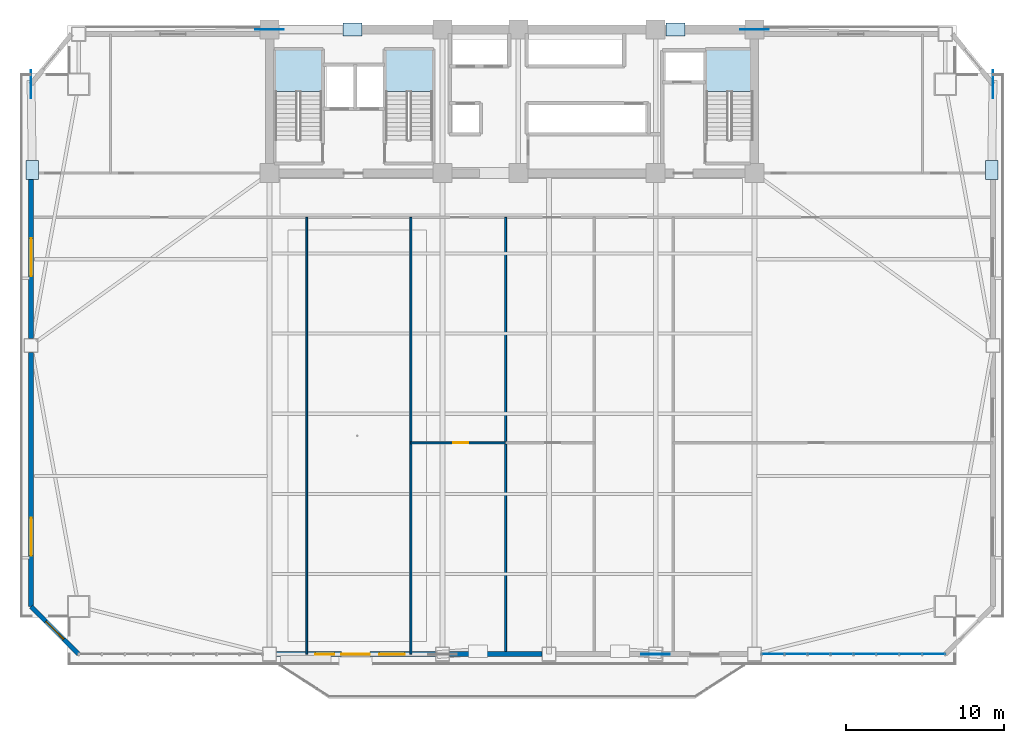
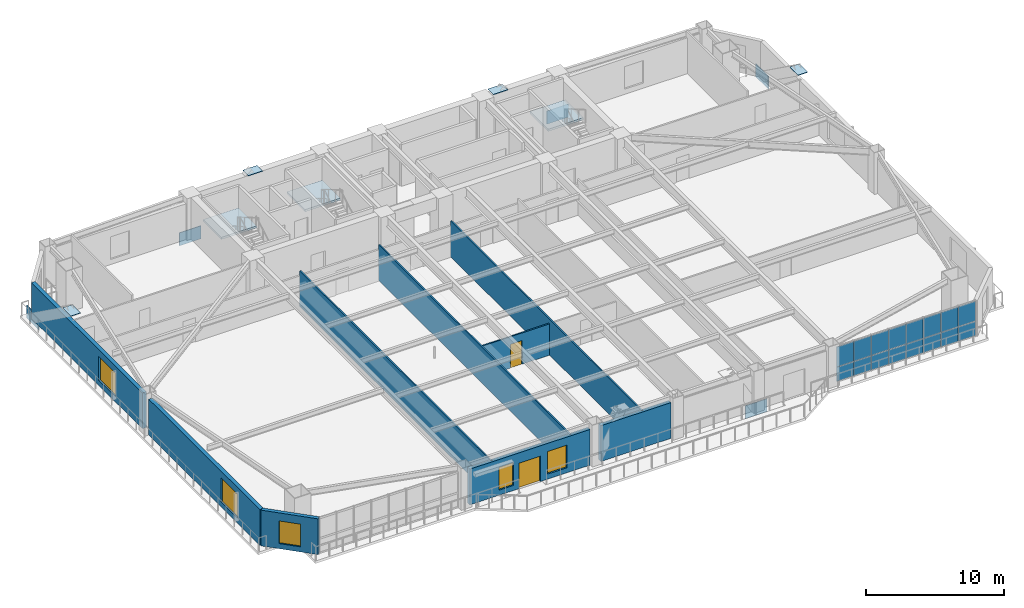
# One storey, part 7 of 15: 25 plates, 9 walls, 5 windows, 3 slabs, 2 doors, 7 openings, 4 elements without a shape of their own.
"""IFC4 building model written with IfcOpenShell, lengths in metres."""

from ifc_helpers import new_model, si_unit, direction, frame, frame_2d, origin, origin_2d, place, context, subcontext, project, spatial, polyline, rectangle, outline, extrude, source, transform, mapped, material, layer, layer_set, type_object, element, fill, aggregate, save


model = new_model("IFC4")

# Units and contexts
model_context = context("Model", 3, precision=1e-05, world=origin(), true_north=direction((0.0, 1.0)))
body_context = subcontext(model_context, "Body", "Model", "MODEL_VIEW")
ifc_project = project(units=[si_unit("LENGTHUNIT", "METRE"), si_unit("AREAUNIT", "SQUARE_METRE"), si_unit("VOLUMEUNIT", "CUBIC_METRE"), si_unit("PLANEANGLEUNIT", "RADIAN"), si_unit("MASSUNIT", "GRAM", prefix="KILO")], contexts=[model_context])

# Site, building, storey
site_placement = place(None, origin())
site = spatial("IfcSite", under=ifc_project, at=site_placement, CompositionType="ELEMENT")
building_placement = place(site_placement, origin())
building = spatial("IfcBuilding", under=site, at=building_placement, Name="Giltprow Tower", CompositionType="ELEMENT")
storey_placement = place(building_placement, frame((0.0, 0.0, 111.39990234375)))
storey = spatial("IfcBuildingStorey", under=building, at=storey_placement, Name="L27", CompositionType="ELEMENT", Elevation=111.39990234375)

# Stair, slab
ifc_material_1 = material(Name="Concrete C40", Category="concrete")
stair_type_1 = type_object("IfcStairType", Name="STR-ST-1", PredefinedType="HALF_TURN_STAIR", material=ifc_material_1)
stair_1_placement = place(storey_placement, origin())
stair_1 = element("IfcStair", 1, at=stair_1_placement, inside=storey, type_object=stair_type_1, Name="L27 Core Exit Stair ST-1", PredefinedType="HALF_TURN_STAIR")
ifc_layer_1 = layer(ifc_material_1, 0.179931640625, Name="Concrete C40")
ifc_layer_set_1 = layer_set([ifc_layer_1], Name="Concrete C40")
slab_type_1 = type_object("IfcSlabType", Name="SLD-ST-1", PredefinedType="LANDING", material=ifc_layer_set_1)
slab_1_placement = place(storey_placement, frame((0.0, 0.0, 1.77001953125)))
slab_1 = element("IfcSlab", 2, at=slab_1_placement, type_object=slab_type_1, Name="ST-1 landing 1", PredefinedType="LANDING", context=body_context, shape_type="SweptSolid", body=[
    extrude(outline(polyline([(23.159912109375, 42.6298828125), (23.159912109375, 45.25), (20.199951171875, 45.25), (20.199951171875, 42.6298828125), (23.159912109375, 42.6298828125)])), origin(), (0.0, 0.0, 1.0), 0.18017578125),
])
aggregate(stair_1, [slab_1])

stair_type_2 = type_object("IfcStairType", Name="STR-ST-2", PredefinedType="HALF_TURN_STAIR", material=ifc_material_1)
stair_2_placement = place(storey_placement, origin())
stair_2 = element("IfcStair", 3, at=stair_2_placement, inside=storey, type_object=stair_type_2, Name="L27 Core Exit Stair ST-2", PredefinedType="HALF_TURN_STAIR")
ifc_layer_2 = layer(ifc_material_1, 0.18798828125, Name="Concrete C40")
ifc_layer_set_2 = layer_set([ifc_layer_2], Name="Concrete C40")
slab_type_2 = type_object("IfcSlabType", Name="SLD-ST-2", PredefinedType="LANDING", material=ifc_layer_set_2)
slab_2_placement = place(storey_placement, frame((0.0, 0.0, 1.76220703125)))
slab_2 = element("IfcSlab", 4, at=slab_2_placement, type_object=slab_type_2, Name="ST-2 landing 1", PredefinedType="LANDING", context=body_context, shape_type="SweptSolid", body=[
    extrude(outline(polyline([(30.159912109375, 42.6298828125), (30.159912109375, 45.25), (27.199951171875, 45.25), (27.199951171875, 42.6298828125), (30.159912109375, 42.6298828125)])), origin(), (0.0, 0.0, 1.0), 0.18798828125),
])
aggregate(stair_2, [slab_2])

stair_type_3 = type_object("IfcStairType", Name="STR-ST-3", PredefinedType="HALF_TURN_STAIR", material=ifc_material_1)
stair_3_placement = place(storey_placement, origin())
stair_3 = element("IfcStair", 5, at=stair_3_placement, inside=storey, type_object=stair_type_3, Name="L27 Core Exit Stair ST-3", PredefinedType="HALF_TURN_STAIR")
ifc_layer_3 = layer(ifc_material_1, 0.196044921875, Name="Concrete C40")
ifc_layer_set_3 = layer_set([ifc_layer_3], Name="Concrete C40")
slab_type_3 = type_object("IfcSlabType", Name="SLD-ST-3", PredefinedType="LANDING", material=ifc_layer_set_3)
slab_3_placement = place(storey_placement, frame((0.0, 0.0, 1.754150390625)))
slab_3 = element("IfcSlab", 6, at=slab_3_placement, type_object=slab_type_3, Name="ST-3 landing 1", PredefinedType="LANDING", context=body_context, shape_type="SweptSolid", body=[
    extrude(outline(polyline([(50.4599609375, 42.6298828125), (50.4599609375, 45.25), (47.5, 45.25), (47.5, 42.6298828125), (50.4599609375, 42.6298828125)])), origin(), (0.0, 0.0, 1.0), 0.196044921875),
])
aggregate(stair_3, [slab_3])

# Plates
ifc_material_2 = material(Name="Structural steel Q420GJC", Category="steel")
plate_type_1 = type_object("IfcPlateType", Name="PLT-NODE-MBN1", PredefinedType="USERDEFINED", material=ifc_material_2)
shared_shape_1 = source(origin(), body_context, "Body", "SweptSolid", [
    extrude(rectangle(XDim=1.800048828125, YDim=0.050048828125, at=origin_2d()), origin(), (0.0, 0.0, 1.0), 1.14990234375),
])
for number, where, z_axis, x_axis, name in (
    (7, (44.300048828125, 6.989990234375, -0.574951171875), (0.0, 0.0, 1.0), (1.0, 0.0, 0.0), "Mega-Brace Node L27-S-RA"),
    (8, (19.85009765625, 46.550048828125, -0.71484375), (0.0, 0.0, 1.0), (1.0, 0.0, 0.0), "Mega-Brace Node L27-N-LA"),
    (9, (50.550048828125, 46.550048828125, -0.71484375), (0.0, 0.0, 1.0), (1.0, 0.0, 0.0), "Mega-Brace Node L27-N-RA"),
    (10, (4.743896484375, 43.0830078125, -0.574951171875), (0.0, 0.0, 1.0), (0.0, 1.0, 0.0), "Mega-Brace Node L27-W-RA"),
    (11, (65.656005859375, 43.0830078125, -0.574951171875), (0.0, 0.0, 1.0), (0.0, 1.0, 0.0), "Mega-Brace Node L27-E-RA"),
):
    element("IfcPlate", number, at=place(storey_placement, frame(where, z_axis=z_axis, x_axis=x_axis)), inside=storey, type_object=plate_type_1, Name=name, ObjectType="GUSSET", PredefinedType="USERDEFINED", context=body_context, shape_type="MappedRepresentation", body=[
        mapped(shared_shape_1, transform((0.0, 0.0, 0.0), x_axis=(1.0, 0.0, 0.0), y_axis=(0.0, 1.0, 0.0), z_axis=(0.0, 0.0, 1.0), scale=1.0)),
    ])
plate_type_2 = type_object("IfcPlateType", Name="PLT-CAP-SEAL", PredefinedType="USERDEFINED", material=ifc_material_2)
shared_shape_2 = source(origin(), body_context, "Body", "SweptSolid", [
    extrude(rectangle(XDim=1.199951171875, YDim=0.800048828125, at=origin_2d()), origin(), (0.0, 0.0, 1.0), 0.034912109375),
])
for number, where, z_axis, x_axis, name in (
    (12, (25.10009765625, 46.550048828125, 3.74267578125), (0.0, 0.0, 1.0), (1.0, 0.0, 0.0), "Mega-Brace Node L27-N-LB"),
    (13, (45.56689453125, 46.550048828125, 3.74267578125), (0.0, 0.0, 1.0), (1.0, 0.0, 0.0), "Mega-Brace Node L27-N-RB"),
    (14, (4.822021484375, 37.657958984375, 3.8828125), (0.0, 0.0, 1.0), (0.0, 1.0, 0.0), "Mega-Brace Node L27-W-RB"),
    (15, (65.577880859375, 37.657958984375, 3.8828125), (0.0, 0.0, 1.0), (0.0, 1.0, 0.0), "Mega-Brace Node L27-E-RB"),
):
    element("IfcPlate", number, at=place(storey_placement, frame(where, z_axis=z_axis, x_axis=x_axis)), inside=storey, type_object=plate_type_2, Name=name, ObjectType="SPLICE", PredefinedType="USERDEFINED", context=body_context, shape_type="MappedRepresentation", body=[
        mapped(shared_shape_2, transform((0.0, 0.0, 0.0), x_axis=(1.0, 0.0, 0.0), y_axis=(0.0, 1.0, 0.0), z_axis=(0.0, 0.0, 1.0), scale=1.0)),
    ])

# Curtain wall, plates
ifc_material_3 = material(Name="Anodized bronze", Category="metal")
ifc_layer_4 = layer(ifc_material_3, 0.179931640625, Name="Anodized bronze")
ifc_layer_set_4 = layer_set([ifc_layer_4], Name="Anodized bronze")
curtain_wall_type = type_object("IfcCurtainWallType", Name="CW-OFF-RECESSED", PredefinedType="NOTDEFINED", material=ifc_layer_set_4)
curtain_wall_placement = place(storey_placement, origin())
curtain_wall = element("IfcCurtainWall", 16, at=curtain_wall_placement, inside=storey, type_object=curtain_wall_type, Name="L27 South Recessed Curtain Wall 6", PredefinedType="NOTDEFINED")
ifc_material_4 = material(Name="Insulated glass", Category="glass")
plate_type_3 = type_object("IfcPlateType", Name="CW-PANEL-IGU-28", PredefinedType="CURTAIN_PANEL", material=ifc_material_4)
shared_shape_3 = source(origin(), body_context, "Body", "SweptSolid", [
    extrude(rectangle(XDim=1.425048828125, YDim=0.028076171875, at=origin_2d()), origin(), (0.0, 0.0, 1.0), 1.259033203125),
])
plate_1_placement = place(storey_placement, frame((51.72705078125, 6.989990234375, 0.0546875), z_axis=(0.0, 0.0, 1.0), x_axis=(1.0, 0.0, 0.0)))
plate_1 = element("IfcPlate", 17, at=plate_1_placement, type_object=plate_type_3, Name="L27 South Recessed Curtain Wall 6 Glazing Panel 1-1", PredefinedType="CURTAIN_PANEL", context=body_context, shape_type="MappedRepresentation", body=[
    mapped(shared_shape_3, transform((0.0, 0.0, 0.0), x_axis=(1.0, 0.0, 0.0), y_axis=(0.0, 1.0, 0.0), z_axis=(0.0, 0.0, 1.0), scale=1.0)),
])
plate_2_placement = place(storey_placement, frame((53.181884765625, 6.989990234375, 0.0546875), z_axis=(0.0, 0.0, 1.0), x_axis=(1.0, 0.0, 0.0)))
plate_2 = element("IfcPlate", 18, at=plate_2_placement, type_object=plate_type_3, Name="L27 South Recessed Curtain Wall 6 Glazing Panel 2-1", PredefinedType="CURTAIN_PANEL", context=body_context, shape_type="MappedRepresentation", body=[
    mapped(shared_shape_3, transform((0.0, 0.0, 0.0), x_axis=(1.0, 0.0, 0.0), y_axis=(0.0, 1.0, 0.0), z_axis=(0.0, 0.0, 1.0), scale=1.0)),
])
plate_3_placement = place(storey_placement, frame((54.636962890625, 6.989990234375, 0.0546875), z_axis=(0.0, 0.0, 1.0), x_axis=(1.0, 0.0, 0.0)))
plate_3 = element("IfcPlate", 19, at=plate_3_placement, type_object=plate_type_3, Name="L27 South Recessed Curtain Wall 6 Glazing Panel 3-1", PredefinedType="CURTAIN_PANEL", context=body_context, shape_type="MappedRepresentation", body=[
    mapped(shared_shape_3, transform((0.0, 0.0, 0.0), x_axis=(1.0, 0.0, 0.0), y_axis=(0.0, 1.0, 0.0), z_axis=(0.0, 0.0, 1.0), scale=1.0)),
])
plate_4_placement = place(storey_placement, frame((56.092041015625, 6.989990234375, 0.0546875), z_axis=(0.0, 0.0, 1.0), x_axis=(1.0, 0.0, 0.0)))
plate_4 = element("IfcPlate", 20, at=plate_4_placement, type_object=plate_type_3, Name="L27 South Recessed Curtain Wall 6 Glazing Panel 4-1", PredefinedType="CURTAIN_PANEL", context=body_context, shape_type="MappedRepresentation", body=[
    mapped(shared_shape_3, transform((0.0, 0.0, 0.0), x_axis=(1.0, 0.0, 0.0), y_axis=(0.0, 1.0, 0.0), z_axis=(0.0, 0.0, 1.0), scale=1.0)),
])
plate_5_placement = place(storey_placement, frame((57.547119140625, 6.989990234375, 0.0546875), z_axis=(0.0, 0.0, 1.0), x_axis=(1.0, 0.0, 0.0)))
plate_5 = element("IfcPlate", 21, at=plate_5_placement, type_object=plate_type_3, Name="L27 South Recessed Curtain Wall 6 Glazing Panel 5-1", PredefinedType="CURTAIN_PANEL", context=body_context, shape_type="MappedRepresentation", body=[
    mapped(shared_shape_3, transform((0.0, 0.0, 0.0), x_axis=(1.0, 0.0, 0.0), y_axis=(0.0, 1.0, 0.0), z_axis=(0.0, 0.0, 1.0), scale=1.0)),
])
plate_6_placement = place(storey_placement, frame((59.001953125, 6.989990234375, 0.0546875), z_axis=(0.0, 0.0, 1.0), x_axis=(1.0, 0.0, 0.0)))
plate_6 = element("IfcPlate", 22, at=plate_6_placement, type_object=plate_type_3, Name="L27 South Recessed Curtain Wall 6 Glazing Panel 6-1", PredefinedType="CURTAIN_PANEL", context=body_context, shape_type="MappedRepresentation", body=[
    mapped(shared_shape_3, transform((0.0, 0.0, 0.0), x_axis=(1.0, 0.0, 0.0), y_axis=(0.0, 1.0, 0.0), z_axis=(0.0, 0.0, 1.0), scale=1.0)),
])
plate_7_placement = place(storey_placement, frame((60.45703125, 6.989990234375, 0.0546875), z_axis=(0.0, 0.0, 1.0), x_axis=(1.0, 0.0, 0.0)))
plate_7 = element("IfcPlate", 23, at=plate_7_placement, type_object=plate_type_3, Name="L27 South Recessed Curtain Wall 6 Glazing Panel 7-1", PredefinedType="CURTAIN_PANEL", context=body_context, shape_type="MappedRepresentation", body=[
    mapped(shared_shape_3, transform((0.0, 0.0, 0.0), x_axis=(1.0, 0.0, 0.0), y_axis=(0.0, 1.0, 0.0), z_axis=(0.0, 0.0, 1.0), scale=1.0)),
])
plate_8_placement = place(storey_placement, frame((61.912109375, 6.989990234375, 0.0546875), z_axis=(0.0, 0.0, 1.0), x_axis=(1.0, 0.0, 0.0)))
plate_8 = element("IfcPlate", 24, at=plate_8_placement, type_object=plate_type_3, Name="L27 South Recessed Curtain Wall 6 Glazing Panel 8-1", PredefinedType="CURTAIN_PANEL", context=body_context, shape_type="MappedRepresentation", body=[
    mapped(shared_shape_3, transform((0.0, 0.0, 0.0), x_axis=(1.0, 0.0, 0.0), y_axis=(0.0, 1.0, 0.0), z_axis=(0.0, 0.0, 1.0), scale=1.0)),
])
shared_shape_4 = source(origin(), body_context, "Body", "SweptSolid", [
    extrude(rectangle(XDim=1.425048828125, YDim=0.028076171875, at=origin_2d()), origin(), (0.0, 0.0, 1.0), 1.764892578125),
])
plate_9_placement = place(storey_placement, frame((51.72705078125, 6.989990234375, 1.341796875), z_axis=(0.0, 0.0, 1.0), x_axis=(1.0, 0.0, 0.0)))
plate_9 = element("IfcPlate", 25, at=plate_9_placement, type_object=plate_type_3, Name="L27 South Recessed Curtain Wall 6 Glazing Panel 1-2", PredefinedType="CURTAIN_PANEL", context=body_context, shape_type="MappedRepresentation", body=[
    mapped(shared_shape_4, transform((0.0, 0.0, 0.0), x_axis=(1.0, 0.0, 0.0), y_axis=(0.0, 1.0, 0.0), z_axis=(0.0, 0.0, 1.0), scale=1.0)),
])
plate_10_placement = place(storey_placement, frame((53.181884765625, 6.989990234375, 1.341796875), z_axis=(0.0, 0.0, 1.0), x_axis=(1.0, 0.0, 0.0)))
plate_10 = element("IfcPlate", 26, at=plate_10_placement, type_object=plate_type_3, Name="L27 South Recessed Curtain Wall 6 Glazing Panel 2-2", PredefinedType="CURTAIN_PANEL", context=body_context, shape_type="MappedRepresentation", body=[
    mapped(shared_shape_4, transform((0.0, 0.0, 0.0), x_axis=(1.0, 0.0, 0.0), y_axis=(0.0, 1.0, 0.0), z_axis=(0.0, 0.0, 1.0), scale=1.0)),
])
plate_11_placement = place(storey_placement, frame((54.636962890625, 6.989990234375, 1.341796875), z_axis=(0.0, 0.0, 1.0), x_axis=(1.0, 0.0, 0.0)))
plate_11 = element("IfcPlate", 27, at=plate_11_placement, type_object=plate_type_3, Name="L27 South Recessed Curtain Wall 6 Glazing Panel 3-2", PredefinedType="CURTAIN_PANEL", context=body_context, shape_type="MappedRepresentation", body=[
    mapped(shared_shape_4, transform((0.0, 0.0, 0.0), x_axis=(1.0, 0.0, 0.0), y_axis=(0.0, 1.0, 0.0), z_axis=(0.0, 0.0, 1.0), scale=1.0)),
])
plate_12_placement = place(storey_placement, frame((56.092041015625, 6.989990234375, 1.341796875), z_axis=(0.0, 0.0, 1.0), x_axis=(1.0, 0.0, 0.0)))
plate_12 = element("IfcPlate", 28, at=plate_12_placement, type_object=plate_type_3, Name="L27 South Recessed Curtain Wall 6 Glazing Panel 4-2", PredefinedType="CURTAIN_PANEL", context=body_context, shape_type="MappedRepresentation", body=[
    mapped(shared_shape_4, transform((0.0, 0.0, 0.0), x_axis=(1.0, 0.0, 0.0), y_axis=(0.0, 1.0, 0.0), z_axis=(0.0, 0.0, 1.0), scale=1.0)),
])
plate_13_placement = place(storey_placement, frame((57.547119140625, 6.989990234375, 1.341796875), z_axis=(0.0, 0.0, 1.0), x_axis=(1.0, 0.0, 0.0)))
plate_13 = element("IfcPlate", 29, at=plate_13_placement, type_object=plate_type_3, Name="L27 South Recessed Curtain Wall 6 Glazing Panel 5-2", PredefinedType="CURTAIN_PANEL", context=body_context, shape_type="MappedRepresentation", body=[
    mapped(shared_shape_4, transform((0.0, 0.0, 0.0), x_axis=(1.0, 0.0, 0.0), y_axis=(0.0, 1.0, 0.0), z_axis=(0.0, 0.0, 1.0), scale=1.0)),
])
plate_14_placement = place(storey_placement, frame((59.001953125, 6.989990234375, 1.341796875), z_axis=(0.0, 0.0, 1.0), x_axis=(1.0, 0.0, 0.0)))
plate_14 = element("IfcPlate", 30, at=plate_14_placement, type_object=plate_type_3, Name="L27 South Recessed Curtain Wall 6 Glazing Panel 6-2", PredefinedType="CURTAIN_PANEL", context=body_context, shape_type="MappedRepresentation", body=[
    mapped(shared_shape_4, transform((0.0, 0.0, 0.0), x_axis=(1.0, 0.0, 0.0), y_axis=(0.0, 1.0, 0.0), z_axis=(0.0, 0.0, 1.0), scale=1.0)),
])
plate_15_placement = place(storey_placement, frame((60.45703125, 6.989990234375, 1.341796875), z_axis=(0.0, 0.0, 1.0), x_axis=(1.0, 0.0, 0.0)))
plate_15 = element("IfcPlate", 31, at=plate_15_placement, type_object=plate_type_3, Name="L27 South Recessed Curtain Wall 6 Glazing Panel 7-2", PredefinedType="CURTAIN_PANEL", context=body_context, shape_type="MappedRepresentation", body=[
    mapped(shared_shape_4, transform((0.0, 0.0, 0.0), x_axis=(1.0, 0.0, 0.0), y_axis=(0.0, 1.0, 0.0), z_axis=(0.0, 0.0, 1.0), scale=1.0)),
])
plate_16_placement = place(storey_placement, frame((61.912109375, 6.989990234375, 1.341796875), z_axis=(0.0, 0.0, 1.0), x_axis=(1.0, 0.0, 0.0)))
plate_16 = element("IfcPlate", 32, at=plate_16_placement, type_object=plate_type_3, Name="L27 South Recessed Curtain Wall 6 Glazing Panel 8-2", PredefinedType="CURTAIN_PANEL", context=body_context, shape_type="MappedRepresentation", body=[
    mapped(shared_shape_4, transform((0.0, 0.0, 0.0), x_axis=(1.0, 0.0, 0.0), y_axis=(0.0, 1.0, 0.0), z_axis=(0.0, 0.0, 1.0), scale=1.0)),
])
aggregate(curtain_wall, [plate_1, plate_9, plate_2, plate_10, plate_3, plate_11, plate_4, plate_12, plate_5, plate_13, plate_6, plate_14, plate_7, plate_15, plate_8, plate_16])

# Wall, opening, window
ifc_material_5 = material(Name="Precast concrete C40", Category="concrete")
ifc_layer_5 = layer(ifc_material_5, 0.300048828125, Name="Precast concrete C40")
ifc_layer_set_5 = layer_set([ifc_layer_5], Name="Precast concrete C40")
wall_type_1 = type_object("IfcWallType", Name="EW-NOTCH-CHAMFER-300", PredefinedType="SOLIDWALL", material=ifc_layer_set_5)
wall_1_placement = place(storey_placement, frame((4.743896484375, 10.007080078125, 0.0), z_axis=(0.0, 0.0, 1.0), x_axis=(0.707106781187, -0.707106781187, 0.0)))
wall_1 = element("IfcWall", 33, at=wall_1_placement, inside=storey, type_object=wall_type_1, Name="L27 Corner Notch Wall SW", PredefinedType="SOLIDWALL", context=body_context, shape_type="SweptSolid", body=[
    extrude(rectangle(XDim=4.266845703125, YDim=0.300048828125, at=frame_2d((2.13330078125, 0.0))), origin(), (0.0, 0.0, 1.0), 3.16015625),
])
opening_1_placement = place(wall_1_placement, frame((1.3330078125, 0.0, 0.449951171875)))
opening_1 = element("IfcOpeningElement", 34, at=opening_1_placement, cuts=wall_1, Name="Opening WN17", PredefinedType="OPENING", context=body_context, shape_type="SweptSolid", body=[
    extrude(rectangle(XDim=1.60009765625, YDim=2.0, at=frame_2d((0.800048828125, 1.0))), frame((0.0, 0.159912109375, 0.0), z_axis=(0.0, -1.0, 0.0), x_axis=(1.0, 0.0, 0.0)), (0.0, 0.0, 1.0), 0.320068359375),
])
window_type_1 = type_object("IfcWindowType", Name="WN-COR-1600x2000", PartitioningType="SINGLE_PANEL", PredefinedType="WINDOW", material=ifc_material_4)
shared_shape_5 = source(origin(), body_context, "Body", "SweptSolid", [
    extrude(rectangle(XDim=1.60009765625, YDim=2.0, at=frame_2d((0.800048828125, 1.0))), frame((0.0, 0.030029296875, 0.0), z_axis=(0.0, -1.0, 0.0), x_axis=(1.0, 0.0, 0.0)), (0.0, 0.0, 1.0), 0.06005859375),
])
window_1_placement = place(opening_1_placement, origin())
window_1 = element("IfcWindow", 35, at=window_1_placement, inside=storey, type_object=window_type_1, Name="L27 Corner Notch Window SW", OverallHeight=2.0, OverallWidth=1.60009765625, PartitioningType="SINGLE_PANEL", PredefinedType="WINDOW", context=body_context, shape_type="MappedRepresentation", body=[
    mapped(shared_shape_5, transform((0.0, 0.0, 0.0), x_axis=(1.0, 0.0, 0.0), y_axis=(0.0, 1.0, 0.0), z_axis=(0.0, 0.0, 1.0), scale=1.0)),
])
fill(opening_1, window_1)

# Wall, openings, windows, door
ifc_layer_6 = layer(ifc_material_5, 0.320068359375, Name="Precast concrete C40")
ifc_layer_set_6 = layer_set([ifc_layer_6], Name="Precast concrete C40")
wall_type_2 = type_object("IfcWallType", Name="EW-TOW-STONE-320", PredefinedType="SOLIDWALL", material=ifc_layer_set_6)
wall_2_placement = place(storey_placement, frame((20.300048828125, 6.989990234375, 0.0), z_axis=(0.0, 0.0, 1.0), x_axis=(1.0, 0.0, 0.0)))
wall_2 = element("IfcWall", 36, at=wall_2_placement, inside=storey, type_object=wall_type_2, Name="L27 South Expressed Frame Wall 2", PredefinedType="SOLIDWALL", context=body_context, shape_type="SweptSolid", body=[
    extrude(rectangle(XDim=10.050048828125, YDim=0.320068359375, at=frame_2d((5.02490234375, 0.0))), origin(), (0.0, 0.0, 1.0), 3.16015625),
])
opening_2_placement = place(wall_2_placement, frame((4.10009765625, 0.0, 0.0)))
opening_2 = element("IfcOpeningElement", 37, at=opening_2_placement, cuts=wall_2, Name="Opening ED25", PredefinedType="OPENING", context=body_context, shape_type="SweptSolid", body=[
    extrude(rectangle(XDim=1.800048828125, YDim=2.25, at=frame_2d((0.89990234375, 1.125))), frame((0.0, 0.169921875, 0.0), z_axis=(0.0, -1.0, 0.0), x_axis=(1.0, 0.0, 0.0)), (0.0, 0.0, 1.0), 0.340087890625),
])
opening_3_placement = place(wall_2_placement, frame((2.445068359375, 0.0, 0.449951171875)))
opening_3 = element("IfcOpeningElement", 38, at=opening_3_placement, cuts=wall_2, Name="Opening WN11", PredefinedType="OPENING", context=body_context, shape_type="SweptSolid", body=[
    extrude(rectangle(XDim=1.199951171875, YDim=2.0, at=frame_2d((0.60009765625, 1.0))), frame((0.0, 0.169921875, 0.0), z_axis=(0.0, -1.0, 0.0), x_axis=(1.0, 0.0, 0.0)), (0.0, 0.0, 1.0), 0.340087890625),
])
opening_4_placement = place(wall_2_placement, frame((6.5, 0.0, 0.449951171875)))
opening_4 = element("IfcOpeningElement", 39, at=opening_4_placement, cuts=wall_2, Name="Opening WN17", PredefinedType="OPENING", context=body_context, shape_type="SweptSolid", body=[
    extrude(rectangle(XDim=1.60009765625, YDim=2.0, at=frame_2d((0.800048828125, 1.0))), frame((0.0, 0.169921875, 0.0), z_axis=(0.0, -1.0, 0.0), x_axis=(1.0, 0.0, 0.0)), (0.0, 0.0, 1.0), 0.340087890625),
])
window_2_placement = place(opening_4_placement, origin())
window_2 = element("IfcWindow", 40, at=window_2_placement, inside=storey, type_object=window_type_1, Name="L27 South Window 2B", OverallHeight=2.0, OverallWidth=1.60009765625, PartitioningType="SINGLE_PANEL", PredefinedType="WINDOW", context=body_context, shape_type="MappedRepresentation", body=[
    mapped(shared_shape_5, transform((0.0, 0.0, 0.0), x_axis=(1.0, 0.0, 0.0), y_axis=(0.0, 1.0, 0.0), z_axis=(0.0, 0.0, 1.0), scale=1.0)),
])
fill(opening_4, window_2)
ifc_material_6 = material(Name="Anodized bronze and glass", Category="glass")
door_type_1 = type_object("IfcDoorType", Name="DR-BALC-SLIDE-1800", OperationType="SLIDING_TO_LEFT", PredefinedType="DOOR", material=ifc_material_6)
shared_shape_6 = source(origin(), body_context, "Body", "SweptSolid", [
    extrude(rectangle(XDim=1.800048828125, YDim=2.25, at=frame_2d((0.89990234375, 1.125))), frame((0.0, 0.02490234375, 0.0), z_axis=(0.0, -1.0, 0.0), x_axis=(1.0, 0.0, 0.0)), (0.0, 0.0, 1.0), 0.050048828125),
])
door_1_placement = place(opening_2_placement, origin())
door_1 = element("IfcDoor", 41, at=door_1_placement, inside=storey, type_object=door_type_1, Name="L27 Waterfront Balcony Sliding Door 1", OperationType="SLIDING_TO_LEFT", OverallHeight=2.25, OverallWidth=1.800048828125, PredefinedType="DOOR", context=body_context, shape_type="MappedRepresentation", body=[
    mapped(shared_shape_6, transform((0.0, 0.0, 0.0), x_axis=(1.0, 0.0, 0.0), y_axis=(0.0, 1.0, 0.0), z_axis=(0.0, 0.0, 1.0), scale=1.0)),
])
fill(opening_2, door_1)
window_type_2 = type_object("IfcWindowType", Name="WN-LANCET-1200x2000", PartitioningType="SINGLE_PANEL", PredefinedType="WINDOW", material=ifc_material_4)
shared_shape_7 = source(origin(), body_context, "Body", "SweptSolid", [
    extrude(rectangle(XDim=1.199951171875, YDim=2.0, at=frame_2d((0.60009765625, 1.0))), frame((0.0, 0.030029296875, 0.0), z_axis=(0.0, -1.0, 0.0), x_axis=(1.0, 0.0, 0.0)), (0.0, 0.0, 1.0), 0.06005859375),
])
window_3_placement = place(opening_3_placement, origin())
window_3 = element("IfcWindow", 42, at=window_3_placement, inside=storey, type_object=window_type_2, Name="L27 South Window 2A", OverallHeight=2.0, OverallWidth=1.199951171875, PartitioningType="SINGLE_PANEL", PredefinedType="WINDOW", context=body_context, shape_type="MappedRepresentation", body=[
    mapped(shared_shape_7, transform((0.0, 0.0, 0.0), x_axis=(1.0, 0.0, 0.0), y_axis=(0.0, 1.0, 0.0), z_axis=(0.0, 0.0, 1.0), scale=1.0)),
])
fill(opening_3, window_3)

# Wall
wall_3_placement = place(storey_placement, frame((31.25, 6.989990234375, 0.0), z_axis=(0.0, 0.0, 1.0), x_axis=(1.0, 0.0, 0.0)))
element("IfcWall", 43, at=wall_3_placement, inside=storey, type_object=wall_type_2, Name="L27 South Expressed Frame Wall 3", PredefinedType="SOLIDWALL", context=body_context, shape_type="SweptSolid", body=[
    extrude(rectangle(XDim=5.85009765625, YDim=0.320068359375, at=frame_2d((2.925048828125, 0.0))), origin(), (0.0, 0.0, 1.0), 3.16015625),
])

# Wall, opening, window
wall_4_placement = place(storey_placement, frame((4.743896484375, 10.007080078125, 0.0), z_axis=(0.0, 0.0, 1.0), x_axis=(0.0, 1.0, 0.0)))
wall_4 = element("IfcWall", 44, at=wall_4_placement, inside=storey, type_object=wall_type_2, Name="L27 W Wing Masonry Wall 1", PredefinedType="SOLIDWALL", context=body_context, shape_type="SweptSolid", body=[
    extrude(rectangle(XDim=16.087890625, YDim=0.320068359375, at=frame_2d((8.0439453125, 0.0))), origin(), (0.0, 0.0, 1.0), 3.16015625),
])
opening_5_placement = place(wall_4_placement, frame((3.222900390625, 0.0, 0.449951171875)))
opening_5 = element("IfcOpeningElement", 45, at=opening_5_placement, cuts=wall_4, Name="Opening WN29", PredefinedType="OPENING", context=body_context, shape_type="SweptSolid", body=[
    extrude(rectangle(XDim=2.39990234375, YDim=2.10009765625, at=frame_2d((1.199951171875, 1.050048828125))), frame((0.0, 0.169921875, 0.0), z_axis=(0.0, -1.0, 0.0), x_axis=(1.0, 0.0, 0.0)), (0.0, 0.0, 1.0), 0.340087890625),
])
window_type_3 = type_object("IfcWindowType", Name="WN-OFF-2400x2100", PartitioningType="DOUBLE_PANEL_VERTICAL", PredefinedType="WINDOW", material=ifc_material_4)
shared_shape_8 = source(origin(), body_context, "Body", "SweptSolid", [
    extrude(rectangle(XDim=2.39990234375, YDim=2.10009765625, at=frame_2d((1.199951171875, 1.050048828125))), frame((0.0, 0.030029296875, 0.0), z_axis=(0.0, -1.0, 0.0), x_axis=(1.0, 0.0, 0.0)), (0.0, 0.0, 1.0), 0.06005859375),
])
window_4_placement = place(opening_5_placement, origin())
window_4 = element("IfcWindow", 46, at=window_4_placement, inside=storey, type_object=window_type_3, Name="L27 W Wing Window 1-1A", OverallHeight=2.10009765625, OverallWidth=2.39990234375, PartitioningType="SINGLE_PANEL", PredefinedType="WINDOW", context=body_context, shape_type="MappedRepresentation", body=[
    mapped(shared_shape_8, transform((0.0, 0.0, 0.0), x_axis=(1.0, 0.0, 0.0), y_axis=(0.0, 1.0, 0.0), z_axis=(0.0, 0.0, 1.0), scale=1.0)),
])
fill(opening_5, window_4)

wall_5_placement = place(storey_placement, frame((4.743896484375, 26.9951171875, 0.0), z_axis=(0.0, 0.0, 1.0), x_axis=(0.0, 1.0, 0.0)))
wall_5 = element("IfcWall", 47, at=wall_5_placement, inside=storey, type_object=wall_type_2, Name="L27 W Wing Masonry Wall 2", PredefinedType="SOLIDWALL", context=body_context, shape_type="SweptSolid", body=[
    extrude(rectangle(XDim=16.087890625, YDim=0.320068359375, at=frame_2d((8.0439453125, 0.0))), origin(), (0.0, 0.0, 1.0), 3.16015625),
])
opening_6_placement = place(wall_5_placement, frame((3.930908203125, 0.0, 0.449951171875)))
opening_6 = element("IfcOpeningElement", 48, at=opening_6_placement, cuts=wall_5, Name="Opening WN29", PredefinedType="OPENING", context=body_context, shape_type="SweptSolid", body=[
    extrude(rectangle(XDim=2.39990234375, YDim=2.10009765625, at=frame_2d((1.199951171875, 1.050048828125))), frame((0.0, 0.169921875, 0.0), z_axis=(0.0, -1.0, 0.0), x_axis=(1.0, 0.0, 0.0)), (0.0, 0.0, 1.0), 0.340087890625),
])
window_5_placement = place(opening_6_placement, origin())
window_5 = element("IfcWindow", 49, at=window_5_placement, inside=storey, type_object=window_type_3, Name="L27 W Wing Window 2-1", OverallHeight=2.10009765625, OverallWidth=2.39990234375, PartitioningType="SINGLE_PANEL", PredefinedType="WINDOW", context=body_context, shape_type="MappedRepresentation", body=[
    mapped(shared_shape_8, transform((0.0, 0.0, 0.0), x_axis=(1.0, 0.0, 0.0), y_axis=(0.0, 1.0, 0.0), z_axis=(0.0, 0.0, 1.0), scale=1.0)),
])
fill(opening_6, window_5)

# Walls
ifc_material_7 = material(Name="Gypsum stud partition", Category="gypsum")
ifc_layer_7 = layer(ifc_material_7, 0.1201171875, Name="Gypsum stud partition")
ifc_layer_set_7 = layer_set([ifc_layer_7], Name="Gypsum stud partition")
wall_type_3 = type_object("IfcWallType", Name="IW-ROOM-120", PredefinedType="PARTITIONING", material=ifc_layer_set_7)
for number, where, z_axis, x_axis, name in (
    (50, (22.199951171875, 6.989990234375, 0.0), (0.0, 0.0, 1.0), (0.0, 1.0, 0.0), "L27 Office Partition 1"),
    (51, (28.800048828125, 6.989990234375, 0.0), (0.0, 0.0, 1.0), (0.0, 1.0, 0.0), "L27 Office Partition 2"),
):
    element("IfcWall", number, at=place(storey_placement, frame(where, z_axis=z_axis, x_axis=x_axis)), inside=storey, type_object=wall_type_3, Name=name, PredefinedType="PARTITIONING", context=body_context, shape_type="SweptSolid", body=[
        extrude(rectangle(XDim=27.659912109375, YDim=0.1201171875, at=frame_2d((13.830078125, 0.0))), origin(), (0.0, 0.0, 1.0), 3.1650390625),
    ])

# Wall, opening, door
wall_6_placement = place(storey_placement, frame((28.800048828125, 20.37109375, 0.0), z_axis=(0.0, 0.0, 1.0), x_axis=(1.0, 0.0, 0.0)))
wall_6 = element("IfcWall", 52, at=wall_6_placement, inside=storey, type_object=wall_type_3, Name="L27 Office Mid Wall 3", PredefinedType="PARTITIONING", context=body_context, shape_type="SweptSolid", body=[
    extrude(rectangle(XDim=6.0, YDim=0.1201171875, at=frame_2d((3.0, 0.0))), origin(), (0.0, 0.0, 1.0), 2.76513671875),
])
opening_7_placement = place(wall_6_placement, frame((2.68310546875, 0.0, 0.0)))
opening_7 = element("IfcOpeningElement", 53, at=opening_7_placement, cuts=wall_6, Name="Opening ID11", PredefinedType="OPENING", context=body_context, shape_type="SweptSolid", body=[
    extrude(rectangle(XDim=0.949951171875, YDim=2.10009765625, at=frame_2d((0.47509765625, 1.050048828125))), frame((0.0, 0.070068359375, 0.0), z_axis=(0.0, -1.0, 0.0), x_axis=(1.0, 0.0, 0.0)), (0.0, 0.0, 1.0), 0.14013671875),
])
ifc_material_8 = material(Name="Engineered timber", Category="wood")
door_type_2 = type_object("IfcDoorType", Name="DR-ROOM-950", OperationType="SINGLE_SWING_RIGHT", PredefinedType="DOOR", material=ifc_material_8)
shared_shape_9 = source(origin(), body_context, "Body", "SweptSolid", [
    extrude(rectangle(XDim=0.949951171875, YDim=2.10009765625, at=frame_2d((0.47509765625, 1.050048828125))), frame((0.0, 0.02490234375, 0.0), z_axis=(0.0, -1.0, 0.0), x_axis=(1.0, 0.0, 0.0)), (0.0, 0.0, 1.0), 0.050048828125),
])
door_2_placement = place(opening_7_placement, origin())
door_2 = element("IfcDoor", 54, at=door_2_placement, inside=storey, type_object=door_type_2, Name="L27 Architecture Office 2 Inner Door", OperationType="SINGLE_SWING_RIGHT", OverallHeight=2.10009765625, OverallWidth=0.949951171875, PredefinedType="DOOR", context=body_context, shape_type="MappedRepresentation", body=[
    mapped(shared_shape_9, transform((0.0, 0.0, 0.0), x_axis=(1.0, 0.0, 0.0), y_axis=(0.0, 1.0, 0.0), z_axis=(0.0, 0.0, 1.0), scale=1.0)),
])
fill(opening_7, door_2)

# Wall
wall_7_placement = place(storey_placement, frame((34.800048828125, 6.989990234375, 0.0), z_axis=(0.0, 0.0, 1.0), x_axis=(0.0, 1.0, 0.0)))
element("IfcWall", 55, at=wall_7_placement, inside=storey, type_object=wall_type_3, Name="L27 Office Partition 3", PredefinedType="PARTITIONING", context=body_context, shape_type="SweptSolid", body=[
    extrude(rectangle(XDim=27.659912109375, YDim=0.1201171875, at=frame_2d((13.830078125, 0.0))), origin(), (0.0, 0.0, 1.0), 3.1650390625),
])

save(model, "model.ifc")
